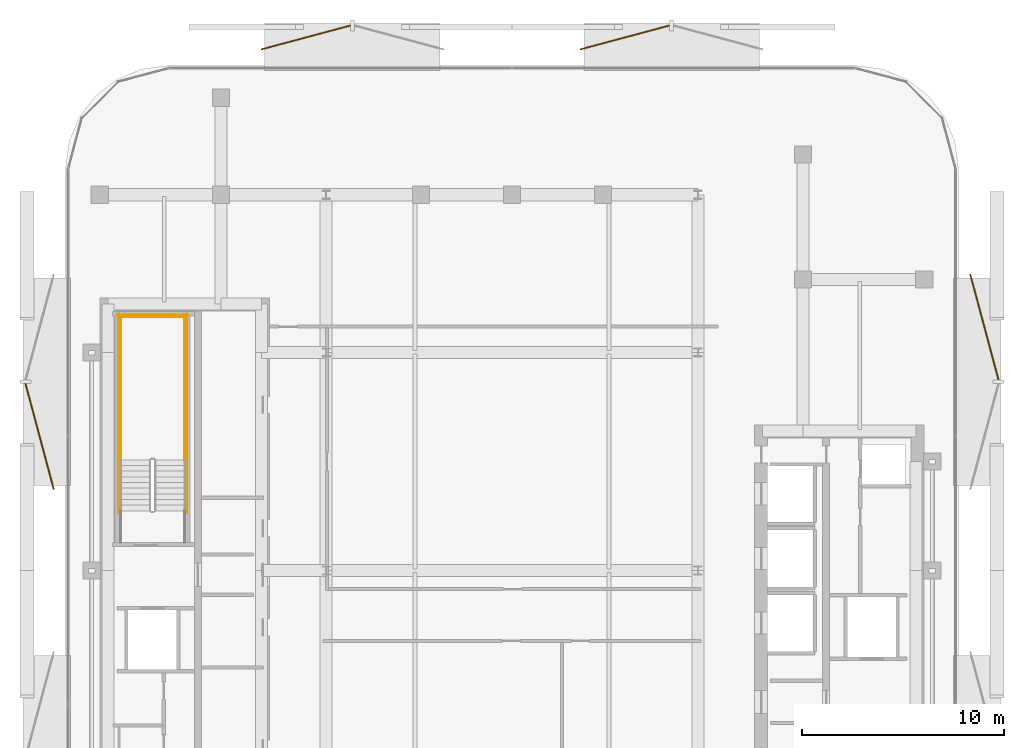
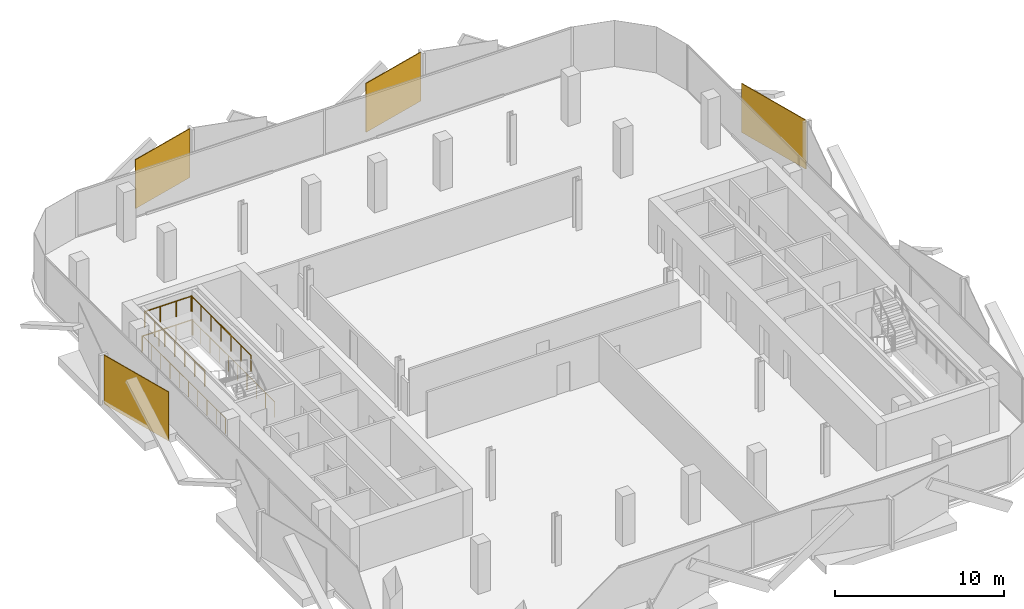
# One storey, part 11 of 11: 6 railings, 4 coverings.
"""IFC4 building model written with IfcOpenShell, lengths in metres."""

from ifc_helpers import new_model, si_unit, direction, frame, origin, origin_2d, place, context, subcontext, project, spatial, rectangle, circle, extrude, material, layer, layer_set, type_object, element, save


model = new_model("IFC4")

# Units and contexts
model_context = context("Model", 3, precision=1e-05, world=origin(), true_north=direction((0.0, 1.0)))
body_context = subcontext(model_context, "Body", "Model", "MODEL_VIEW")
ifc_project = project(units=[si_unit("LENGTHUNIT", "METRE"), si_unit("AREAUNIT", "SQUARE_METRE"), si_unit("VOLUMEUNIT", "CUBIC_METRE"), si_unit("PLANEANGLEUNIT", "RADIAN"), si_unit("MASSUNIT", "GRAM", prefix="KILO")], contexts=[model_context])

# Site, building, storey
site_placement = place(None, origin())
site = spatial("IfcSite", under=ifc_project, at=site_placement, CompositionType="ELEMENT")
building_placement = place(site_placement, origin())
building = spatial("IfcBuilding", under=site, at=building_placement, Name="Khairoan Windgate Tower", CompositionType="ELEMENT")
storey_placement = place(building_placement, frame((0.0, 0.0, 222.39990234375)))
storey = spatial("IfcBuildingStorey", under=building, at=storey_placement, Name="L51", CompositionType="ELEMENT", Elevation=222.39990234375)

# Coverings
ifc_material_1 = material(Name="Anodised Bronze Aluminium 6063-T6", Category="aluminium")
ifc_layer = layer(ifc_material_1, 0.054931640625, Name="Anodised Bronze Aluminium 6063-T6")
ifc_layer_set = layer_set([ifc_layer], Name="Anodised Bronze Aluminium 6063-T6")
covering_type = type_object("IfcCoveringType", Name="Perforated Bronze-Ceramic Folded Solar Screen Cladding BSC-1", PredefinedType="CLADDING", material=ifc_layer_set)
covering_1_placement = place(storey_placement, frame((-23.378662109375, 6.6376953125, -0.099853515625), z_axis=(0.0, 0.0, 1.0), x_axis=(-0.258819045103, 0.965925826289, 0.0)))
element("IfcCovering", 1, at=covering_1_placement, inside=storey, type_object=covering_type, Name="L51 Folded Bronze Solar Screen Facet 340L", PredefinedType="CLADDING", context=body_context, shape_type="SweptSolid", body=[
    extrude(rectangle(XDim=5.419921875, YDim=0.054931640625, at=origin_2d()), origin(), (0.0, 0.0, 1.0), 3.5400390625),
])
for number, where, z_axis, x_axis, name in (
    (2, (-10.197021484375, 26.387451171875, -0.099853515625), (0.0, 0.0, 1.0), (0.965925826289, 0.258819045103, 0.0), "L51 Folded Bronze Solar Screen Facet 341L"),
    (3, (5.593994140625, 26.387451171875, -0.099853515625), (0.0, 0.0, 1.0), (0.965925826289, 0.258819045103, 0.0), "L51 Folded Bronze Solar Screen Facet 342L"),
):
    element("IfcCovering", number, at=place(storey_placement, frame(where, z_axis=z_axis, x_axis=x_axis)), inside=storey, type_object=covering_type, Name=name, PredefinedType="CLADDING", context=body_context, shape_type="SweptSolid", body=[
        extrude(rectangle(XDim=4.5791015625, YDim=0.054931640625, at=origin_2d()), origin(), (0.0, 0.0, 1.0), 3.5400390625),
    ])
covering_2_placement = place(storey_placement, frame((23.378662109375, 12.052978515625, -0.099853515625), z_axis=(0.0, 0.0, 1.0), x_axis=(0.258819045103, -0.965925826289, 0.0)))
element("IfcCovering", 4, at=covering_2_placement, inside=storey, type_object=covering_type, Name="L51 Folded Bronze Solar Screen Facet 343L", PredefinedType="CLADDING", context=body_context, shape_type="SweptSolid", body=[
    extrude(rectangle(XDim=5.419921875, YDim=0.054931640625, at=origin_2d()), origin(), (0.0, 0.0, 1.0), 3.5400390625),
])

# Railings
ifc_material_2 = material(Name="Steel S355", Category="steel")
railing_type = type_object("IfcRailingType", Name="Stairwell Safety Guardrail SGR-1150", PredefinedType="GUARDRAIL", material=ifc_material_2)
for number, where, name in (
    (5, (-16.199951171875, 5.47998046875, 1.800048828125), "L51 ST2 stair guard 3"),
    (6, (-19.3701171875, 5.47998046875, 1.800048828125), "L51 ST2 stair guard 4"),
):
    element("IfcRailing", number, at=place(storey_placement, frame(where)), inside=storey, type_object=railing_type, Name=name, PredefinedType="GUARDRAIL", context=body_context, shape_type="SweptSolid", body=[
        extrude(circle(Radius=0.02392578125, at=origin_2d()), frame((0.0, 0.0, 1.1259765625), z_axis=(0.0, 1.0, 0.0), x_axis=(-1.0, 0.0, 0.0)), (0.0, 0.0, 1.0), 7.1201171875),
        extrude(circle(Radius=0.02099609375, at=origin_2d()), origin(), (0.0, 0.0, 1.0), 1.101806640625),
        extrude(circle(Radius=0.02099609375, at=origin_2d()), frame((0.0, 1.186767578125, 0.0)), (0.0, 0.0, 1.0), 1.101806640625),
        extrude(circle(Radius=0.02099609375, at=origin_2d()), frame((0.0, 2.373291015625, 0.0)), (0.0, 0.0, 1.0), 1.101806640625),
        extrude(circle(Radius=0.02099609375, at=origin_2d()), frame((0.0, 3.56005859375, 0.0)), (0.0, 0.0, 1.0), 1.101806640625),
        extrude(circle(Radius=0.02099609375, at=origin_2d()), frame((0.0, 4.746826171875, 0.0)), (0.0, 0.0, 1.0), 1.101806640625),
        extrude(circle(Radius=0.02099609375, at=origin_2d()), frame((0.0, 5.933349609375, 0.0)), (0.0, 0.0, 1.0), 1.101806640625),
        extrude(circle(Radius=0.02099609375, at=origin_2d()), frame((0.0, 7.1201171875, 0.0)), (0.0, 0.0, 1.0), 1.101806640625),
    ])
railing_1_placement = place(storey_placement, frame((-16.14990234375, 12.550048828125, 1.800048828125)))
element("IfcRailing", 7, at=railing_1_placement, inside=storey, type_object=railing_type, Name="L51 ST2 stair guard 5", PredefinedType="GUARDRAIL", context=body_context, shape_type="SweptSolid", body=[
    extrude(circle(Radius=0.02392578125, at=origin_2d()), frame((0.0, 0.0, 1.1259765625), z_axis=(-1.0, 0.0, 0.0), x_axis=(0.0, -1.0, 0.0)), (0.0, 0.0, 1.0), 3.27001953125),
    extrude(circle(Radius=0.02099609375, at=origin_2d()), origin(), (0.0, 0.0, 1.0), 1.101806640625),
    extrude(circle(Radius=0.02099609375, at=origin_2d()), frame((-1.090087890625, 0.0, 0.0)), (0.0, 0.0, 1.0), 1.101806640625),
    extrude(circle(Radius=0.02099609375, at=origin_2d()), frame((-2.179931640625, 0.0, 0.0)), (0.0, 0.0, 1.0), 1.101806640625),
    extrude(circle(Radius=0.02099609375, at=origin_2d()), frame((-3.27001953125, 0.0, 0.0)), (0.0, 0.0, 1.0), 1.101806640625),
])
for number, where, name in (
    (8, (-16.10009765625, 2.860107421875, 0.0), "L51 ST2 stair guard 10"),
    (9, (-19.469970703125, 2.860107421875, 0.0), "L51 ST2 stair guard 11"),
):
    element("IfcRailing", number, at=place(storey_placement, frame(where)), inside=storey, type_object=railing_type, Name=name, PredefinedType="GUARDRAIL", context=body_context, shape_type="SweptSolid", body=[
        extrude(circle(Radius=0.02392578125, at=origin_2d()), frame((0.0, 0.0, 1.1259765625), z_axis=(0.0, 1.0, 0.0), x_axis=(-1.0, 0.0, 0.0)), (0.0, 0.0, 1.0), 9.83984375),
        extrude(circle(Radius=0.02099609375, at=origin_2d()), origin(), (0.0, 0.0, 1.0), 1.101806640625),
        extrude(circle(Radius=0.02099609375, at=origin_2d()), frame((0.0, 1.09326171875, 0.0)), (0.0, 0.0, 1.0), 1.101806640625),
        extrude(circle(Radius=0.02099609375, at=origin_2d()), frame((0.0, 2.1865234375, 0.0)), (0.0, 0.0, 1.0), 1.101806640625),
        extrude(circle(Radius=0.02099609375, at=origin_2d()), frame((0.0, 3.280029296875, 0.0)), (0.0, 0.0, 1.0), 1.101806640625),
        extrude(circle(Radius=0.02099609375, at=origin_2d()), frame((0.0, 4.373291015625, 0.0)), (0.0, 0.0, 1.0), 1.101806640625),
        extrude(circle(Radius=0.02099609375, at=origin_2d()), frame((0.0, 5.466552734375, 0.0)), (0.0, 0.0, 1.0), 1.101806640625),
        extrude(circle(Radius=0.02099609375, at=origin_2d()), frame((0.0, 6.559814453125, 0.0)), (0.0, 0.0, 1.0), 1.101806640625),
        extrude(circle(Radius=0.02099609375, at=origin_2d()), frame((0.0, 7.6533203125, 0.0)), (0.0, 0.0, 1.0), 1.101806640625),
        extrude(circle(Radius=0.02099609375, at=origin_2d()), frame((0.0, 8.74658203125, 0.0)), (0.0, 0.0, 1.0), 1.101806640625),
        extrude(circle(Radius=0.02099609375, at=origin_2d()), frame((0.0, 9.83984375, 0.0)), (0.0, 0.0, 1.0), 1.101806640625),
    ])
railing_2_placement = place(storey_placement, frame((-16.050048828125, 12.64990234375, 0.0)))
element("IfcRailing", 10, at=railing_2_placement, inside=storey, type_object=railing_type, Name="L51 ST2 stair guard 12", PredefinedType="GUARDRAIL", context=body_context, shape_type="SweptSolid", body=[
    extrude(circle(Radius=0.02392578125, at=origin_2d()), frame((0.0, 0.0, 1.1259765625), z_axis=(-1.0, 0.0, 0.0), x_axis=(0.0, -1.0, 0.0)), (0.0, 0.0, 1.0), 3.469970703125),
    extrude(circle(Radius=0.02099609375, at=origin_2d()), origin(), (0.0, 0.0, 1.0), 1.101806640625),
    extrude(circle(Radius=0.02099609375, at=origin_2d()), frame((-1.15673828125, 0.0, 0.0)), (0.0, 0.0, 1.0), 1.101806640625),
    extrude(circle(Radius=0.02099609375, at=origin_2d()), frame((-2.313232421875, 0.0, 0.0)), (0.0, 0.0, 1.0), 1.101806640625),
    extrude(circle(Radius=0.02099609375, at=origin_2d()), frame((-3.469970703125, 0.0, 0.0)), (0.0, 0.0, 1.0), 1.101806640625),
])

save(model, "model.ifc")
